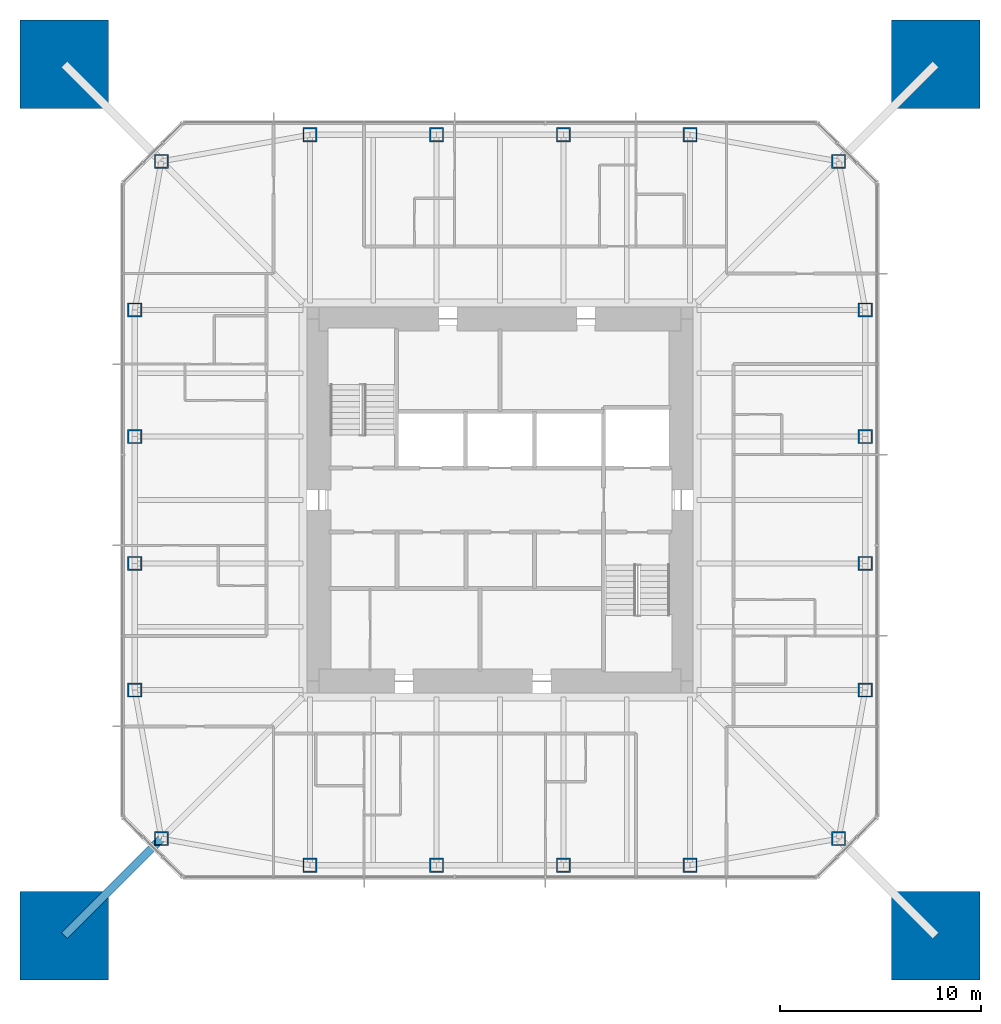
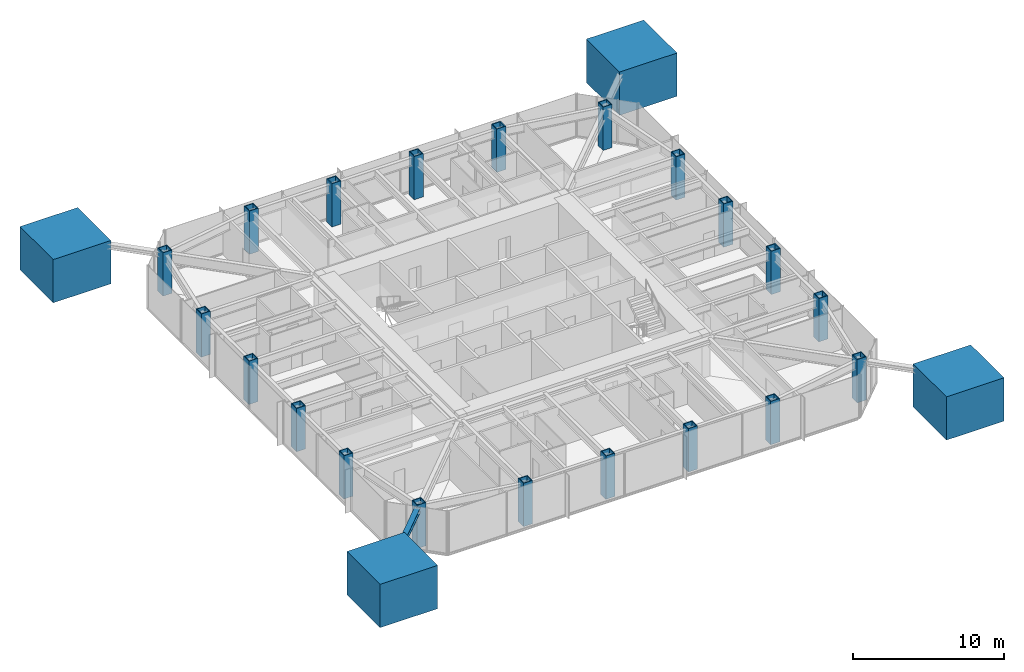
# One storey, part 1 of 11: 24 columns, 1 member.
"""IFC4 building model written with IfcOpenShell, lengths in metres."""

from ifc_helpers import new_model, si_unit, direction, frame, origin, origin_2d, place, context, subcontext, project, spatial, rectangle, hollow_rectangle, i_section, extrude, material, material_profile, profile_set, type_object, element, save


model = new_model("IFC4")

# Units and contexts
model_context = context("Model", 3, precision=1e-05, world=origin(), true_north=direction((0.0, 1.0)))
body_context = subcontext(model_context, "Body", "Model", "MODEL_VIEW")
ifc_project = project(units=[si_unit("LENGTHUNIT", "METRE"), si_unit("AREAUNIT", "SQUARE_METRE"), si_unit("VOLUMEUNIT", "CUBIC_METRE"), si_unit("PLANEANGLEUNIT", "RADIAN"), si_unit("MASSUNIT", "GRAM", prefix="KILO")], contexts=[model_context])

# Site, building, storey
site_placement = place(None, origin())
site = spatial("IfcSite", under=ifc_project, at=site_placement, CompositionType="ELEMENT")
building_placement = place(site_placement, origin())
building = spatial("IfcBuilding", under=site, at=building_placement, Name="Iwan Alto Co-Living Towers", CompositionType="ELEMENT")
storey_placement = place(building_placement, frame((0.0, 0.0, 181.0)))
storey = spatial("IfcBuildingStorey", under=building, at=storey_placement, Name="L49", CompositionType="ELEMENT", Elevation=181.0)

# Columns
ifc_material_1 = material(Name="Concrete f'c 70 MPa", Category="concrete")
ifc_material_profile_1 = material_profile(ifc_material_1, rectangle(XDim=4.39990234375, YDim=4.39990234375, at=origin_2d()), Name="RC 4400X4400")
ifc_profile_set_1 = profile_set([ifc_material_profile_1], Name="Concrete f'c 70 MPa")
column_type_1 = type_object("IfcColumnType", Name="T1 MEGA COLUMN RC 4400X4400", PredefinedType="COLUMN", material=ifc_profile_set_1)
for number, where, z_axis, x_axis, name in (
    (1, (-21.64990234375, -21.64990234375, 0.0), (0.0, 0.0, 1.0), (1.0, 0.0, 0.0), "T1 mega column SW L49"),
    (2, (21.64990234375, -21.64990234375, 0.0), (0.0, 0.0, 1.0), (1.0, 0.0, 0.0), "T1 mega column SE L49"),
    (3, (21.64990234375, 21.64990234375, 0.0), (0.0, 0.0, 1.0), (1.0, 0.0, 0.0), "T1 mega column NE L49"),
    (4, (-21.64990234375, 21.64990234375, 0.0), (0.0, 0.0, 1.0), (1.0, 0.0, 0.0), "T1 mega column NW L49"),
):
    element("IfcColumn", number, at=place(storey_placement, frame(where, z_axis=z_axis, x_axis=x_axis)), inside=storey, type_object=column_type_1, Name=name, PredefinedType="COLUMN", context=body_context, shape_type="SweptSolid", body=[
        extrude(rectangle(XDim=4.39990234375, YDim=4.39990234375, at=origin_2d()), origin(), (0.0, 0.0, 1.0), 3.5),
        extrude(i_section(OverallWidth=0.4775390625, OverallDepth=0.599365234375, WebThickness=0.10009765625, FlangeThickness=0.139892578125, at=origin_2d()), origin(), (0.0, 0.0, 1.0), 3.5),
    ])
ifc_material_2 = material(Name="Steel ASTM A572 Gr 50", Category="steel")
ifc_material_profile_2 = material_profile(ifc_material_2, hollow_rectangle(XDim=0.699951171875, YDim=0.699951171875, WallThickness=0.06005859375, at=origin_2d()), Name="BOX 700X700X60")
ifc_profile_set_2 = profile_set([ifc_material_profile_2], Name="Steel ASTM A572 Gr 50")
column_type_2 = type_object("IfcColumnType", Name="T1 RING COLUMN BOX 700X700X60", PredefinedType="COLUMN", material=ifc_profile_set_2)
for number, where, z_axis, x_axis, name in (
    (5, (-16.82568359375, -16.82568359375, 0.0), (0.0, 0.0, 1.0), (1.0, 0.0, 0.0), "T1 ring column CSW L49"),
    (6, (-9.449951171875, -18.14990234375, 0.0), (0.0, 0.0, 1.0), (1.0, 0.0, 0.0), "T1 ring column S1 L49"),
    (7, (-3.14990234375, -18.14990234375, 0.0), (0.0, 0.0, 1.0), (1.0, 0.0, 0.0), "T1 ring column S2 L49"),
    (8, (3.14990234375, -18.14990234375, 0.0), (0.0, 0.0, 1.0), (1.0, 0.0, 0.0), "T1 ring column S3 L49"),
    (9, (9.449951171875, -18.14990234375, 0.0), (0.0, 0.0, 1.0), (1.0, 0.0, 0.0), "T1 ring column S4 L49"),
    (10, (16.82568359375, -16.82568359375, 0.0), (0.0, 0.0, 1.0), (1.0, 0.0, 0.0), "T1 ring column CSE L49"),
    (11, (18.14990234375, -9.449951171875, 0.0), (0.0, 0.0, 1.0), (1.0, 0.0, 0.0), "T1 ring column E1 L49"),
    (12, (18.14990234375, -3.14990234375, 0.0), (0.0, 0.0, 1.0), (1.0, 0.0, 0.0), "T1 ring column E2 L49"),
    (13, (18.14990234375, 3.14990234375, 0.0), (0.0, 0.0, 1.0), (1.0, 0.0, 0.0), "T1 ring column E3 L49"),
    (14, (18.14990234375, 9.449951171875, 0.0), (0.0, 0.0, 1.0), (1.0, 0.0, 0.0), "T1 ring column E4 L49"),
    (15, (16.82568359375, 16.82568359375, 0.0), (0.0, 0.0, 1.0), (1.0, 0.0, 0.0), "T1 ring column CNE L49"),
    (16, (9.449951171875, 18.14990234375, 0.0), (0.0, 0.0, 1.0), (1.0, 0.0, 0.0), "T1 ring column N1 L49"),
    (17, (3.14990234375, 18.14990234375, 0.0), (0.0, 0.0, 1.0), (1.0, 0.0, 0.0), "T1 ring column N2 L49"),
    (18, (-3.14990234375, 18.14990234375, 0.0), (0.0, 0.0, 1.0), (1.0, 0.0, 0.0), "T1 ring column N3 L49"),
    (19, (-9.449951171875, 18.14990234375, 0.0), (0.0, 0.0, 1.0), (1.0, 0.0, 0.0), "T1 ring column N4 L49"),
    (20, (-16.82568359375, 16.82568359375, 0.0), (0.0, 0.0, 1.0), (1.0, 0.0, 0.0), "T1 ring column CNW L49"),
    (21, (-18.14990234375, 9.449951171875, 0.0), (0.0, 0.0, 1.0), (1.0, 0.0, 0.0), "T1 ring column W1 L49"),
    (22, (-18.14990234375, 3.14990234375, 0.0), (0.0, 0.0, 1.0), (1.0, 0.0, 0.0), "T1 ring column W2 L49"),
    (23, (-18.14990234375, -3.14990234375, 0.0), (0.0, 0.0, 1.0), (1.0, 0.0, 0.0), "T1 ring column W3 L49"),
    (24, (-18.14990234375, -9.449951171875, 0.0), (0.0, 0.0, 1.0), (1.0, 0.0, 0.0), "T1 ring column W4 L49"),
):
    element("IfcColumn", number, at=place(storey_placement, frame(where, z_axis=z_axis, x_axis=x_axis)), inside=storey, type_object=column_type_2, Name=name, PredefinedType="COLUMN", context=body_context, shape_type="SweptSolid", body=[
        extrude(hollow_rectangle(XDim=0.699951171875, YDim=0.699951171875, WallThickness=0.06005859375, at=origin_2d()), origin(), (0.0, 0.0, 1.0), 3.5),
    ])

# Member
ifc_material_3 = material(Name="Steel ASTM A992 Gr 50", Category="steel")
ifc_material_profile_3 = material_profile(ifc_material_3, i_section(OverallWidth=0.393798828125, OverallDepth=0.3759765625, WebThickness=0.017333984375, FlangeThickness=0.027587890625, at=origin_2d()), Name="W14X145")
ifc_profile_set_3 = profile_set([ifc_material_profile_3], Name="Steel ASTM A992 Gr 50")
member_type = type_object("IfcMemberType", Name="T1 MEGA COLUMN FLOOR TIE W14X145", PredefinedType="STRUT", material=ifc_profile_set_3)
member_placement = place(storey_placement, frame((-21.64990234375, -21.64990234375, 3.08203125), z_axis=(0.707106781187, 0.707106781187, 0.0), x_axis=(-0.707106781187, 0.707106781187, 0.0)))
element("IfcMember", 25, at=member_placement, inside=storey, type_object=member_type, Name="T1 mega column floor tie SW L50", PredefinedType="STRUT", context=body_context, shape_type="SweptSolid", body=[
    extrude(i_section(OverallWidth=0.393798828125, OverallDepth=0.3759765625, WebThickness=0.017333984375, FlangeThickness=0.027587890625, at=origin_2d()), origin(), (0.0, 0.0, 1.0), 6.822509765625),
])

save(model, "model.ifc")
